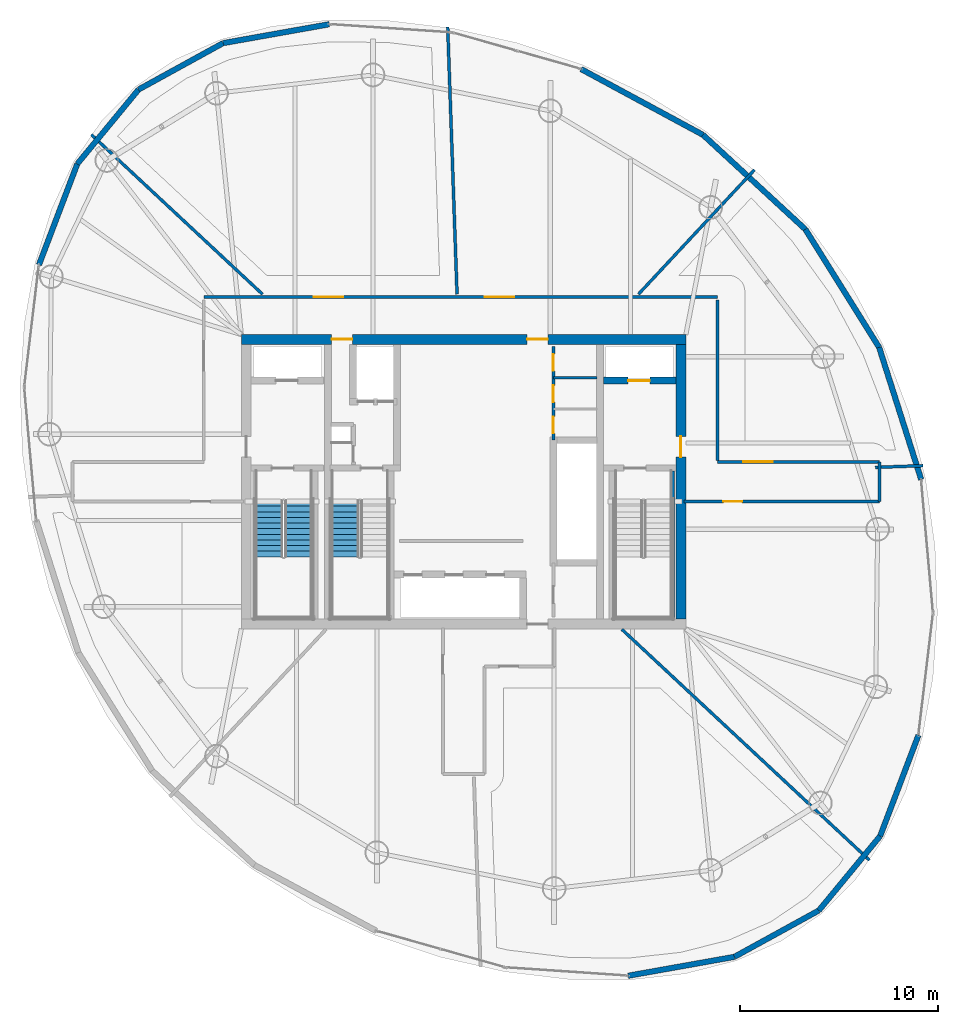
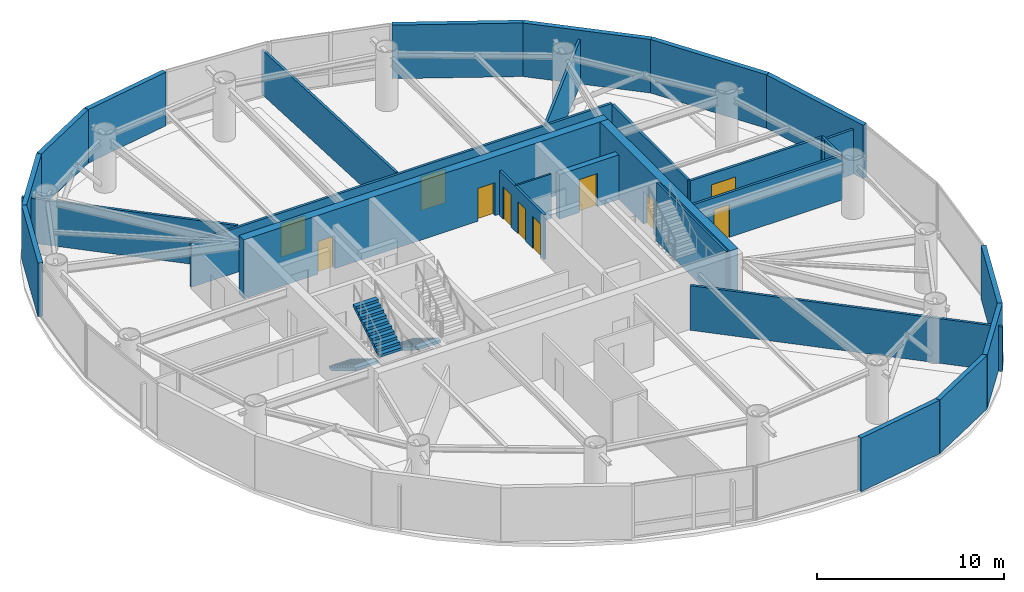
# One storey, part 14 of 18: 28 walls, 11 doors, 3 stair flights, 11 openings, 2 elements without a shape of their own.
"""IFC4 building model written with IfcOpenShell, lengths in metres."""

from ifc_helpers import new_model, si_unit, direction, frame, frame_2d, origin, place, context, subcontext, project, spatial, polyline, rectangle, outline, extrude, material, layer, layer_set, type_object, element, fill, aggregate, save


model = new_model("IFC4")

# Units and contexts
model_context = context("Model", 3, precision=1e-05, world=origin(), true_north=direction((0.0, 1.0)))
body_context = subcontext(model_context, "Body", "Model", "MODEL_VIEW")
ifc_project = project(units=[si_unit("LENGTHUNIT", "METRE"), si_unit("AREAUNIT", "SQUARE_METRE"), si_unit("VOLUMEUNIT", "CUBIC_METRE"), si_unit("PLANEANGLEUNIT", "RADIAN"), si_unit("MASSUNIT", "GRAM", prefix="KILO")], contexts=[model_context])

# Site, building, storey
site_placement = place(None, origin())
site = spatial("IfcSite", under=ifc_project, at=site_placement, CompositionType="ELEMENT")
building_placement = place(site_placement, origin())
building = spatial("IfcBuilding", under=site, at=building_placement, Name="Bramvorn Convention Spire", CompositionType="ELEMENT")
storey_placement = place(building_placement, frame((0.0, 0.0, 232.800048828125)))
storey = spatial("IfcBuildingStorey", under=building, at=storey_placement, Name="L59", CompositionType="ELEMENT", Elevation=232.800048828125)

# Wall, openings, doors
ifc_material_1 = material(Name="Concrete C50/60", Category="concrete")
ifc_layer_1 = layer(ifc_material_1, 0.5)
ifc_layer_set_1 = layer_set([ifc_layer_1], Name="Concrete C50/60 - WL-CORE-500")
wall_type_1 = type_object("IfcWallType", Name="WL-CORE-500", PredefinedType="SHEAR", material=ifc_layer_set_1)
wall_1_placement = place(storey_placement, frame((26.75, 33.199951171875, 0.0), z_axis=(0.0, 0.0, 1.0), x_axis=(1.0, 0.0, 0.0)))
wall_1 = element("IfcWall", 1, at=wall_1_placement, inside=storey, type_object=wall_type_1, Name="L59 North RC core shear wall", PredefinedType="SHEAR", context=body_context, shape_type="SweptSolid", body=[
    extrude(rectangle(XDim=22.5, YDim=0.5, at=frame_2d((11.25, 0.0))), origin(), (0.0, 0.0, 1.0), 3.849853515625),
])
opening_1_placement = place(wall_1_placement, frame((4.570068359375, 0.0, 0.0)))
opening_1 = element("IfcOpeningElement", 2, at=opening_1_placement, cuts=wall_1, Name="Opening DL-105", PredefinedType="OPENING", context=body_context, shape_type="SweptSolid", body=[
    extrude(rectangle(XDim=1.050048828125, YDim=2.14990234375, at=frame_2d((0.52490234375, 1.074951171875))), frame((0.0, 0.260009765625, 0.0), z_axis=(0.0, -1.0, 0.0), x_axis=(1.0, 0.0, 0.0)), (0.0, 0.0, 1.0), 0.52001953125),
])
opening_2_placement = place(wall_1_placement, frame((14.469970703125, 0.0, 0.0)))
opening_2 = element("IfcOpeningElement", 3, at=opening_2_placement, cuts=wall_1, Name="Opening DL-105", PredefinedType="OPENING", context=body_context, shape_type="SweptSolid", body=[
    extrude(rectangle(XDim=1.050048828125, YDim=2.14990234375, at=frame_2d((0.52490234375, 1.074951171875))), frame((0.0, 0.260009765625, 0.0), z_axis=(0.0, -1.0, 0.0), x_axis=(1.0, 0.0, 0.0)), (0.0, 0.0, 1.0), 0.52001953125),
])
ifc_material_2 = material(Name="Smoke-Sealed Fire Lobby Timber-Core Door", Category="wood")
door_type_1 = type_object("IfcDoorType", Name="DR-LOBBY-1050", OperationType="NOTDEFINED", PredefinedType="DOOR", material=ifc_material_2)
door_1_placement = place(opening_1_placement, origin())
door_1 = element("IfcDoor", 4, at=door_1_placement, inside=storey, type_object=door_type_1, Name="L59 Service & Stair ST3 Lobby north corridor door", OperationType="SINGLE_SWING_LEFT", OverallHeight=2.14990234375, OverallWidth=1.050048828125, PredefinedType="DOOR", context=body_context, shape_type="SweptSolid", body=[
    extrude(rectangle(XDim=1.050048828125, YDim=2.14990234375, at=frame_2d((0.52490234375, 1.074951171875))), frame((0.0, 0.02490234375, 0.0), z_axis=(0.0, -1.0, 0.0), x_axis=(1.0, 0.0, 0.0)), (0.0, 0.0, 1.0), 0.050048828125),
])
fill(opening_1, door_1)
door_2_placement = place(opening_2_placement, origin())
door_2 = element("IfcDoor", 5, at=door_2_placement, inside=storey, type_object=door_type_1, Name="L59 North Lift Lobby fire door", OperationType="SINGLE_SWING_LEFT", OverallHeight=2.14990234375, OverallWidth=1.050048828125, PredefinedType="DOOR", context=body_context, shape_type="SweptSolid", body=[
    extrude(rectangle(XDim=1.050048828125, YDim=2.14990234375, at=frame_2d((0.52490234375, 1.074951171875))), frame((0.0, 0.02490234375, 0.0), z_axis=(0.0, -1.0, 0.0), x_axis=(1.0, 0.0, 0.0)), (0.0, 0.0, 1.0), 0.050048828125),
])
fill(opening_2, door_2)

# Wall, opening, door
wall_2_placement = place(storey_placement, frame((49.0, 19.050048828125, 0.0), z_axis=(0.0, 0.0, 1.0), x_axis=(0.0, 1.0, 0.0)))
wall_2 = element("IfcWall", 6, at=wall_2_placement, inside=storey, type_object=wall_type_1, Name="L59 East RC core shear wall", PredefinedType="SHEAR", context=body_context, shape_type="SweptSolid", body=[
    extrude(rectangle(XDim=13.89990234375, YDim=0.5, at=frame_2d((6.949951171875, 0.0))), origin(), (0.0, 0.0, 1.0), 3.849853515625),
])
opening_3_placement = place(wall_2_placement, frame((8.199951171875, 0.0, 0.0)))
opening_3 = element("IfcOpeningElement", 7, at=opening_3_placement, cuts=wall_2, Name="Opening DL-105", PredefinedType="OPENING", context=body_context, shape_type="SweptSolid", body=[
    extrude(rectangle(XDim=1.050048828125, YDim=2.14990234375, at=frame_2d((0.52490234375, 1.074951171875))), frame((0.0, 0.260009765625, 0.0), z_axis=(0.0, -1.0, 0.0), x_axis=(1.0, 0.0, 0.0)), (0.0, 0.0, 1.0), 0.52001953125),
])
door_3_placement = place(opening_3_placement, origin())
door_3 = element("IfcDoor", 8, at=door_3_placement, inside=storey, type_object=door_type_1, Name="L59 East Firefighting Lobby corridor door", OperationType="SINGLE_SWING_LEFT", OverallHeight=2.14990234375, OverallWidth=1.050048828125, PredefinedType="DOOR", context=body_context, shape_type="SweptSolid", body=[
    extrude(rectangle(XDim=1.050048828125, YDim=2.14990234375, at=frame_2d((0.52490234375, 1.074951171875))), frame((0.0, 0.02490234375, 0.0), z_axis=(0.0, -1.0, 0.0), x_axis=(1.0, 0.0, 0.0)), (0.0, 0.0, 1.0), 0.050048828125),
])
fill(opening_3, door_3)

ifc_layer_2 = layer(ifc_material_1, 0.35009765625)
ifc_layer_set_2 = layer_set([ifc_layer_2], Name="Concrete C50/60 - WL-CORE-INT-350")
wall_type_2 = type_object("IfcWallType", Name="WL-CORE-INT-350", PredefinedType="SHEAR", material=ifc_layer_set_2)
wall_3_placement = place(storey_placement, frame((45.080078125, 31.1201171875, 0.0), z_axis=(0.0, 0.0, 1.0), x_axis=(1.0, 0.0, 0.0)))
wall_3 = element("IfcWall", 9, at=wall_3_placement, inside=storey, type_object=wall_type_2, Name="L59 FE2 shaft front wall", PredefinedType="SHEAR", context=body_context, shape_type="SweptSolid", body=[
    extrude(rectangle(XDim=3.669921875, YDim=0.35009765625, at=frame_2d((1.8349609375, 0.0))), origin(), (0.0, 0.0, 1.0), 2.9150390625),
])
opening_4_placement = place(wall_3_placement, frame((1.25, 0.0, 0.0)))
opening_4 = element("IfcOpeningElement", 10, at=opening_4_placement, cuts=wall_3, Name="Opening LD-110", PredefinedType="OPENING", context=body_context, shape_type="SweptSolid", body=[
    extrude(rectangle(XDim=1.10009765625, YDim=2.14990234375, at=frame_2d((0.550048828125, 1.074951171875))), frame((0.0, 0.18505859375, 0.0), z_axis=(0.0, -1.0, 0.0), x_axis=(1.0, 0.0, 0.0)), (0.0, 0.0, 1.0), 0.3701171875),
])
ifc_material_3 = material(Name="Firefighting & Service Lift Sliding Landing Door", Category="steel")
door_type_2 = type_object("IfcDoorType", Name="DR-LIFT-LD-1100", OperationType="NOTDEFINED", PredefinedType="DOOR", material=ifc_material_3)
door_4_placement = place(opening_4_placement, origin())
door_4 = element("IfcDoor", 11, at=door_4_placement, inside=storey, type_object=door_type_2, Name="L59 Lift FE2 Sliding Landing Door", OperationType="SLIDING_TO_LEFT", OverallHeight=2.14990234375, OverallWidth=1.10009765625, PredefinedType="DOOR", context=body_context, shape_type="SweptSolid", body=[
    extrude(rectangle(XDim=1.10009765625, YDim=2.14990234375, at=frame_2d((0.550048828125, 1.074951171875))), frame((0.0, 0.02490234375, 0.0), z_axis=(0.0, -1.0, 0.0), x_axis=(1.0, 0.0, 0.0)), (0.0, 0.0, 1.0), 0.050048828125),
])
fill(opening_4, door_4)

# Walls
ifc_material_4 = material(Name="Precast Concrete C40/50 with Bronze Terracotta Rainscreen", Category="masonry")
ifc_layer_3 = layer(ifc_material_4, 0.300048828125)
ifc_layer_set_3 = layer_set([ifc_layer_3], Name="Precast Concrete C40/50 with Bronze Terracotta Rainscreen - WL-EXT-BRONZE-300")
wall_type_3 = type_object("IfcWallType", Name="WL-EXT-BRONZE-300", PredefinedType="SOLIDWALL", material=ifc_layer_set_3)
wall_4_placement = place(storey_placement, frame((59.08203125, 8.066162109375, 0.0), z_axis=(0.0, 0.0, 1.0), x_axis=(-0.635840615574, -0.771820388165, 0.0)))
element("IfcWall", 12, at=wall_4_placement, inside=storey, type_object=wall_type_3, Name="L59 expressed bronze Gothic lancet pier wall 01", PredefinedType="SOLIDWALL", context=body_context, shape_type="SweptSolid", body=[
    extrude(rectangle(XDim=4.87646484375, YDim=0.280029296875, at=frame_2d((2.438232421875, 0.0))), origin(), (0.0, 0.0, 1.0), 3.5),
])
wall_5_placement = place(storey_placement, frame((61.022216796875, 13.1748046875, 0.0), z_axis=(0.0, 0.0, 1.0), x_axis=(-0.355042078818, -0.934850320783, 0.0)))
element("IfcWall", 13, at=wall_5_placement, inside=storey, type_object=wall_type_3, Name="L59 expressed bronze Gothic lancet pier wall 02", PredefinedType="SOLIDWALL", context=body_context, shape_type="SweptSolid", body=[
    extrude(rectangle(XDim=5.464599609375, YDim=0.280029296875, at=frame_2d((2.732421875, 0.0))), origin(), (0.0, 0.0, 1.0), 3.5),
])
wall_6_placement = place(storey_placement, frame((59.031005859375, 32.801513671875, 0.0), z_axis=(0.0, 0.0, 1.0), x_axis=(0.303361607716, -0.952875508639, 0.0)))
element("IfcWall", 14, at=wall_6_placement, inside=storey, type_object=wall_type_3, Name="L59 expressed bronze Gothic lancet pier wall 05", PredefinedType="SOLIDWALL", context=body_context, shape_type="SweptSolid", body=[
    extrude(rectangle(XDim=7.017822265625, YDim=0.280029296875, at=frame_2d((3.5087890625, 0.0))), origin(), (0.0, 0.0, 1.0), 3.5),
])
wall_7_placement = place(storey_placement, frame((55.297119140625, 38.776123046875, 0.0), z_axis=(0.0, 0.0, 1.0), x_axis=(0.529974021184, -0.848013877758, 0.0)))
element("IfcWall", 15, at=wall_7_placement, inside=storey, type_object=wall_type_3, Name="L59 expressed bronze Gothic lancet pier wall 06", PredefinedType="SOLIDWALL", context=body_context, shape_type="SweptSolid", body=[
    extrude(rectangle(XDim=7.04541015625, YDim=0.280029296875, at=frame_2d((3.522705078125, 0.0))), origin(), (0.0, 0.0, 1.0), 3.5),
])
wall_8_placement = place(storey_placement, frame((50.119384765625, 43.5546875, 0.0), z_axis=(0.0, 0.0, 1.0), x_axis=(0.734865878673, -0.678212459604, 0.0)))
element("IfcWall", 16, at=wall_8_placement, inside=storey, type_object=wall_type_3, Name="L59 expressed bronze Gothic lancet pier wall 07", PredefinedType="SOLIDWALL", context=body_context, shape_type="SweptSolid", body=[
    extrude(rectangle(XDim=7.0458984375, YDim=0.280029296875, at=frame_2d((3.52294921875, 0.0))), origin(), (0.0, 0.0, 1.0), 3.5),
])
wall_9_placement = place(storey_placement, frame((43.944091796875, 46.887939453125, 0.0), z_axis=(0.0, 0.0, 1.0), x_axis=(0.879989165457, -0.474993756463, 0.0)))
element("IfcWall", 17, at=wall_9_placement, inside=storey, type_object=wall_type_3, Name="L59 expressed bronze Gothic lancet pier wall 08", PredefinedType="SOLIDWALL", context=body_context, shape_type="SweptSolid", body=[
    extrude(rectangle(XDim=7.017578125, YDim=0.280029296875, at=frame_2d((3.5087890625, 0.0))), origin(), (0.0, 0.0, 1.0), 3.5),
])
wall_10_placement = place(storey_placement, frame((25.82373046875, 48.197509765625, 0.0), z_axis=(0.0, 0.0, 1.0), x_axis=(0.984520218029, 0.175271048073, 0.0)))
element("IfcWall", 18, at=wall_10_placement, inside=storey, type_object=wall_type_3, Name="L59 expressed bronze Gothic lancet pier wall 11", PredefinedType="SOLIDWALL", context=body_context, shape_type="SweptSolid", body=[
    extrude(rectangle(XDim=5.46435546875, YDim=0.280029296875, at=frame_2d((2.732177734375, 0.0))), origin(), (0.0, 0.0, 1.0), 3.5),
])
for number, where, z_axis, x_axis, name in (
    (19, (21.5498046875, 45.849609375, 0.0), (0.0, 0.0, 1.0), (0.876454695408, 0.481484337126, 0.0), "L59 expressed bronze Gothic lancet pier wall 12"),
    (20, (18.44921875, 42.0859375, 0.0), (0.0, 0.0, 1.0), (0.635840615574, 0.771820388165, 0.0), "L59 expressed bronze Gothic lancet pier wall 13"),
):
    element("IfcWall", number, at=place(storey_placement, frame(where, z_axis=z_axis, x_axis=x_axis)), inside=storey, type_object=wall_type_3, Name=name, PredefinedType="SOLIDWALL", context=body_context, shape_type="SweptSolid", body=[
        extrude(rectangle(XDim=4.87646484375, YDim=0.280029296875, at=frame_2d((2.438232421875, 0.0))), origin(), (0.0, 0.0, 1.0), 3.5),
    ])
wall_11_placement = place(storey_placement, frame((16.509033203125, 36.977294921875, 0.0), z_axis=(0.0, 0.0, 1.0), x_axis=(0.355042078818, 0.934850320783, 0.0)))
element("IfcWall", 21, at=wall_11_placement, inside=storey, type_object=wall_type_3, Name="L59 expressed bronze Gothic lancet pier wall 14", PredefinedType="SOLIDWALL", context=body_context, shape_type="SweptSolid", body=[
    extrude(rectangle(XDim=5.464599609375, YDim=0.280029296875, at=frame_2d((2.732421875, 0.0))), origin(), (0.0, 0.0, 1.0), 3.5),
])
wall_12_placement = place(storey_placement, frame((51.707763671875, 1.95458984375, 0.0), z_axis=(0.0, 0.0, 1.0), x_axis=(-0.984520218029, -0.175271048073, 0.0)))
element("IfcWall", 22, at=wall_12_placement, inside=storey, type_object=wall_type_3, Name="L59 expressed bronze Gothic lancet pier wall 23", PredefinedType="SOLIDWALL", context=body_context, shape_type="SweptSolid", body=[
    extrude(rectangle(XDim=5.46435546875, YDim=0.280029296875, at=frame_2d((2.732177734375, 0.0))), origin(), (0.0, 0.0, 1.0), 3.5),
])
wall_13_placement = place(storey_placement, frame((55.9814453125, 4.302490234375, 0.0), z_axis=(0.0, 0.0, 1.0), x_axis=(-0.876443087994, -0.481505465709, 0.0)))
element("IfcWall", 23, at=wall_13_placement, inside=storey, type_object=wall_type_3, Name="L59 expressed bronze Gothic lancet pier wall 24", PredefinedType="SOLIDWALL", context=body_context, shape_type="SweptSolid", body=[
    extrude(rectangle(XDim=4.876220703125, YDim=0.280029296875, at=frame_2d((2.43798828125, 0.0))), origin(), (0.0, 0.0, 1.0), 3.5),
])
ifc_material_5 = material(Name="Lightweight En-Suite & Wet-Wall Partition", Category="gypsum")
ifc_layer_4 = layer(ifc_material_5, 0.110107421875)
ifc_layer_set_4 = layer_set([ifc_layer_4], Name="Lightweight En-Suite & Wet-Wall Partition - WL-PART-110")
wall_type_4 = type_object("IfcWallType", Name="WL-PART-110", PredefinedType="PARTITIONING", material=ifc_layer_set_4)
wall_14_placement = place(storey_placement, frame((42.550048828125, 31.260009765625, 0.0), z_axis=(0.0, 0.0, 1.0), x_axis=(1.0, 0.0, 0.0)))
element("IfcWall", 24, at=wall_14_placement, inside=storey, type_object=wall_type_4, Name="L59 KC NE div 2", PredefinedType="PARTITIONING", context=body_context, shape_type="SweptSolid", body=[
    extrude(rectangle(XDim=2.199951171875, YDim=0.110107421875, at=frame_2d((1.10009765625, 0.0))), origin(), (0.0, 0.0, 1.0), 2.9150390625),
])

# Wall, openings, doors
ifc_material_6 = material(Name="Acoustic Metal-Stud Tenant/Corridor Partition", Category="gypsum")
ifc_layer_5 = layer(ifc_material_6, 0.14990234375)
ifc_layer_set_5 = layer_set([ifc_layer_5], Name="Acoustic Metal-Stud Tenant/Corridor Partition - WL-PART-150")
wall_type_5 = type_object("IfcWallType", Name="WL-PART-150", PredefinedType="PARTITIONING", material=ifc_layer_set_5)
wall_15_placement = place(storey_placement, frame((42.550048828125, 28.10009765625, 0.0), z_axis=(0.0, 0.0, 1.0), x_axis=(0.0, 1.0, 0.0)))
wall_15 = element("IfcWall", 25, at=wall_15_placement, inside=storey, type_object=wall_type_5, Name="L59 KC NE wall", PredefinedType="PARTITIONING", context=body_context, shape_type="SweptSolid", body=[
    extrude(rectangle(XDim=4.75, YDim=0.14990234375, at=frame_2d((2.375, 0.0))), origin(), (0.0, 0.0, 1.0), 2.9150390625),
])
opening_5_placement = place(wall_15_placement, frame((0.35009765625, 0.0, 0.0)))
opening_5 = element("IfcOpeningElement", 26, at=opening_5_placement, cuts=wall_15, Name="Opening DC-085", PredefinedType="OPENING", context=body_context, shape_type="SweptSolid", body=[
    extrude(rectangle(XDim=0.85009765625, YDim=2.10009765625, at=frame_2d((0.425048828125, 1.050048828125))), frame((0.0, 0.0849609375, 0.0), z_axis=(0.0, -1.0, 0.0), x_axis=(1.0, 0.0, 0.0)), (0.0, 0.0, 1.0), 0.169921875),
])
opening_6_placement = place(wall_15_placement, frame((1.929931640625, 0.0, 0.0)))
opening_6 = element("IfcOpeningElement", 27, at=opening_6_placement, cuts=wall_15, Name="Opening DC-085", PredefinedType="OPENING", context=body_context, shape_type="SweptSolid", body=[
    extrude(rectangle(XDim=0.85009765625, YDim=2.10009765625, at=frame_2d((0.425048828125, 1.050048828125))), frame((0.0, 0.0849609375, 0.0), z_axis=(0.0, -1.0, 0.0), x_axis=(1.0, 0.0, 0.0)), (0.0, 0.0, 1.0), 0.169921875),
])
opening_7_placement = place(wall_15_placement, frame((3.510009765625, 0.0, 0.0)))
opening_7 = element("IfcOpeningElement", 28, at=opening_7_placement, cuts=wall_15, Name="Opening DC-085", PredefinedType="OPENING", context=body_context, shape_type="SweptSolid", body=[
    extrude(rectangle(XDim=0.85009765625, YDim=2.10009765625, at=frame_2d((0.425048828125, 1.050048828125))), frame((0.0, 0.0849609375, 0.0), z_axis=(0.0, -1.0, 0.0), x_axis=(1.0, 0.0, 0.0)), (0.0, 0.0, 1.0), 0.169921875),
])
ifc_material_7 = material(Name="Fire-Rated Core Washroom & IDF Door", Category="wood")
door_type_3 = type_object("IfcDoorType", Name="DR-CORE-850", OperationType="NOTDEFINED", PredefinedType="DOOR", material=ifc_material_7)
door_5_placement = place(opening_5_placement, origin())
door_5 = element("IfcDoor", 29, at=door_5_placement, inside=storey, type_object=door_type_3, Name="L59 Accessible Core Restroom door", OperationType="SINGLE_SWING_LEFT", OverallHeight=2.10009765625, OverallWidth=0.85009765625, PredefinedType="DOOR", context=body_context, shape_type="SweptSolid", body=[
    extrude(rectangle(XDim=0.85009765625, YDim=2.10009765625, at=frame_2d((0.425048828125, 1.050048828125))), frame((0.0, 0.02490234375, 0.0), z_axis=(0.0, -1.0, 0.0), x_axis=(1.0, 0.0, 0.0)), (0.0, 0.0, 1.0), 0.050048828125),
])
fill(opening_5, door_5)
door_6_placement = place(opening_6_placement, origin())
door_6 = element("IfcDoor", 30, at=door_6_placement, inside=storey, type_object=door_type_3, Name="L59 Tenant Pantry & Copy Centre door", OperationType="SINGLE_SWING_LEFT", OverallHeight=2.10009765625, OverallWidth=0.85009765625, PredefinedType="DOOR", context=body_context, shape_type="SweptSolid", body=[
    extrude(rectangle(XDim=0.85009765625, YDim=2.10009765625, at=frame_2d((0.425048828125, 1.050048828125))), frame((0.0, 0.02490234375, 0.0), z_axis=(0.0, -1.0, 0.0), x_axis=(1.0, 0.0, 0.0)), (0.0, 0.0, 1.0), 0.050048828125),
])
fill(opening_6, door_6)
door_7_placement = place(opening_7_placement, origin())
door_7 = element("IfcDoor", 31, at=door_7_placement, inside=storey, type_object=door_type_3, Name="L59 Core Comms Closet door", OperationType="SINGLE_SWING_LEFT", OverallHeight=2.10009765625, OverallWidth=0.85009765625, PredefinedType="DOOR", context=body_context, shape_type="SweptSolid", body=[
    extrude(rectangle(XDim=0.85009765625, YDim=2.10009765625, at=frame_2d((0.425048828125, 1.050048828125))), frame((0.0, 0.02490234375, 0.0), z_axis=(0.0, -1.0, 0.0), x_axis=(1.0, 0.0, 0.0)), (0.0, 0.0, 1.0), 0.050048828125),
])
fill(opening_7, door_7)

wall_16_placement = place(storey_placement, frame((24.85009765625, 35.35009765625, 0.0), z_axis=(0.0, 0.0, 1.0), x_axis=(1.0, 0.0, 0.0)))
wall_16 = element("IfcWall", 32, at=wall_16_placement, inside=storey, type_object=wall_type_5, Name="L59 North gallery wall", PredefinedType="PARTITIONING", context=body_context, shape_type="SweptSolid", body=[
    extrude(rectangle(XDim=26.0, YDim=0.14990234375, at=frame_2d((13.0, 0.0))), origin(), (0.0, 0.0, 1.0), 2.9150390625),
])
opening_8_placement = place(wall_16_placement, frame((14.218994140625, 0.0, 0.0)))
opening_8 = element("IfcOpeningElement", 33, at=opening_8_placement, cuts=wall_16, Name="Opening DC-150", PredefinedType="OPENING", context=body_context, shape_type="SweptSolid", body=[
    extrude(rectangle(XDim=1.5, YDim=2.199951171875, at=frame_2d((0.75, 1.10009765625))), frame((0.0, 0.0849609375, 0.0), z_axis=(0.0, -1.0, 0.0), x_axis=(1.0, 0.0, 0.0)), (0.0, 0.0, 1.0), 0.169921875),
])
opening_9_placement = place(wall_16_placement, frame((5.565673828125, 0.0, 0.0)))
opening_9 = element("IfcOpeningElement", 34, at=opening_9_placement, cuts=wall_16, Name="Opening DC-150", PredefinedType="OPENING", context=body_context, shape_type="SweptSolid", body=[
    extrude(rectangle(XDim=1.5, YDim=2.199951171875, at=frame_2d((0.75, 1.10009765625))), frame((0.0, 0.0849609375, 0.0), z_axis=(0.0, -1.0, 0.0), x_axis=(1.0, 0.0, 0.0)), (0.0, 0.0, 1.0), 0.169921875),
])
ifc_material_8 = material(Name="Double-Leaf Smoke-Control Corridor Door", Category="wood")
door_type_4 = type_object("IfcDoorType", Name="DR-COR-1500", OperationType="NOTDEFINED", PredefinedType="DOOR", material=ifc_material_8)
door_8_placement = place(opening_8_placement, origin())
door_8 = element("IfcDoor", 35, at=door_8_placement, inside=storey, type_object=door_type_4, Name="L59 Equities Office Desk East 2 door", OperationType="DOUBLE_DOOR_SINGLE_SWING", OverallHeight=2.199951171875, OverallWidth=1.5, PredefinedType="DOOR", context=body_context, shape_type="SweptSolid", body=[
    extrude(rectangle(XDim=1.5, YDim=2.199951171875, at=frame_2d((0.75, 1.10009765625))), frame((0.0, 0.02490234375, 0.0), z_axis=(0.0, -1.0, 0.0), x_axis=(1.0, 0.0, 0.0)), (0.0, 0.0, 1.0), 0.050048828125),
])
fill(opening_8, door_8)
door_9_placement = place(opening_9_placement, origin())
door_9 = element("IfcDoor", 36, at=door_9_placement, inside=storey, type_object=door_type_4, Name="L59 Trader Dining Cafe 1 3 door", OperationType="DOUBLE_DOOR_SINGLE_SWING", OverallHeight=2.199951171875, OverallWidth=1.5, PredefinedType="DOOR", context=body_context, shape_type="SweptSolid", body=[
    extrude(rectangle(XDim=1.5, YDim=2.199951171875, at=frame_2d((0.75, 1.10009765625))), frame((0.0, 0.02490234375, 0.0), z_axis=(0.0, -1.0, 0.0), x_axis=(1.0, 0.0, 0.0)), (0.0, 0.0, 1.0), 0.050048828125),
])
fill(opening_9, door_9)

# Wall
wall_17_placement = place(storey_placement, frame((50.85009765625, 27.080078125, 0.0), z_axis=(0.0, 0.0, 1.0), x_axis=(0.0, 1.0, 0.0)))
element("IfcWall", 37, at=wall_17_placement, inside=storey, type_object=wall_type_5, Name="L59 NE gallery cheek", PredefinedType="PARTITIONING", context=body_context, shape_type="SweptSolid", body=[
    extrude(rectangle(XDim=8.119873046875, YDim=0.14990234375, at=frame_2d((4.06005859375, 0.0))), origin(), (0.0, 0.0, 1.0), 2.9150390625),
])

# Wall, opening, door
wall_18_placement = place(storey_placement, frame((50.85009765625, 27.0, 0.0), z_axis=(0.0, 0.0, 1.0), x_axis=(1.0, 0.0, 0.0)))
wall_18 = element("IfcWall", 38, at=wall_18_placement, inside=storey, type_object=wall_type_5, Name="L59 East wing spine north wall", PredefinedType="PARTITIONING", context=body_context, shape_type="SweptSolid", body=[
    extrude(rectangle(XDim=8.203857421875, YDim=0.14990234375, at=frame_2d((4.10205078125, 0.0))), origin(), (0.0, 0.0, 1.0), 2.9150390625),
])
opening_10_placement = place(wall_18_placement, frame((1.301025390625, 0.0, 0.0)))
opening_10 = element("IfcOpeningElement", 39, at=opening_10_placement, cuts=wall_18, Name="Opening DC-150", PredefinedType="OPENING", context=body_context, shape_type="SweptSolid", body=[
    extrude(rectangle(XDim=1.5, YDim=2.199951171875, at=frame_2d((0.75, 1.10009765625))), frame((0.0, 0.0849609375, 0.0), z_axis=(0.0, -1.0, 0.0), x_axis=(1.0, 0.0, 0.0)), (0.0, 0.0, 1.0), 0.169921875),
])
door_10_placement = place(opening_10_placement, origin())
door_10 = element("IfcDoor", 40, at=door_10_placement, inside=storey, type_object=door_type_4, Name="L59 Quantitative Office Desk West 1 door", OperationType="DOUBLE_DOOR_SINGLE_SWING", OverallHeight=2.199951171875, OverallWidth=1.5, PredefinedType="DOOR", context=body_context, shape_type="SweptSolid", body=[
    extrude(rectangle(XDim=1.5, YDim=2.199951171875, at=frame_2d((0.75, 1.10009765625))), frame((0.0, 0.02490234375, 0.0), z_axis=(0.0, -1.0, 0.0), x_axis=(1.0, 0.0, 0.0)), (0.0, 0.0, 1.0), 0.050048828125),
])
fill(opening_10, door_10)

wall_19_placement = place(storey_placement, frame((49.14990234375, 25.0, 0.0), z_axis=(0.0, 0.0, 1.0), x_axis=(1.0, 0.0, 0.0)))
wall_19 = element("IfcWall", 41, at=wall_19_placement, inside=storey, type_object=wall_type_5, Name="L59 East wing spine south wall", PredefinedType="PARTITIONING", context=body_context, shape_type="SweptSolid", body=[
    extrude(rectangle(XDim=9.904052734375, YDim=0.14990234375, at=frame_2d((4.9521484375, 0.0))), origin(), (0.0, 0.0, 1.0), 2.9150390625),
])
opening_11_placement = place(wall_19_placement, frame((2.0009765625, 0.0, 0.0)))
opening_11 = element("IfcOpeningElement", 42, at=opening_11_placement, cuts=wall_19, Name="Opening DH-095", PredefinedType="OPENING", context=body_context, shape_type="SweptSolid", body=[
    extrude(rectangle(XDim=0.949951171875, YDim=2.14990234375, at=frame_2d((0.47509765625, 1.074951171875))), frame((0.0, 0.0849609375, 0.0), z_axis=(0.0, -1.0, 0.0), x_axis=(1.0, 0.0, 0.0)), (0.0, 0.0, 1.0), 0.169921875),
])
ifc_material_9 = material(Name="Solid-Core Acoustic Guestroom Entry Door", Category="wood")
door_type_5 = type_object("IfcDoorType", Name="DR-HOTEL-950", OperationType="NOTDEFINED", PredefinedType="DOOR", material=ifc_material_9)
door_11_placement = place(opening_11_placement, origin())
door_11 = element("IfcDoor", 43, at=door_11_placement, inside=storey, type_object=door_type_5, Name="L59 Tenant Briefing Room 8 door", OperationType="SINGLE_SWING_RIGHT", OverallHeight=2.14990234375, OverallWidth=0.949951171875, PredefinedType="DOOR", context=body_context, shape_type="SweptSolid", body=[
    extrude(rectangle(XDim=0.949951171875, YDim=2.14990234375, at=frame_2d((0.47509765625, 1.074951171875))), frame((0.0, 0.02490234375, 0.0), z_axis=(0.0, -1.0, 0.0), x_axis=(1.0, 0.0, 0.0)), (0.0, 0.0, 1.0), 0.050048828125),
])
fill(opening_11, door_11)

# Walls
wall_20_placement = place(storey_placement, frame((59.053955078125, 25.0, 0.0), z_axis=(0.0, 0.0, 1.0), x_axis=(0.0, 1.0, 0.0)))
element("IfcWall", 44, at=wall_20_placement, inside=storey, type_object=wall_type_5, Name="L59 East wing spine end wall", PredefinedType="PARTITIONING", context=body_context, shape_type="SweptSolid", body=[
    extrude(rectangle(XDim=2.0, YDim=0.14990234375, at=frame_2d((1.0, 0.0))), origin(), (0.0, 0.0, 1.0), 2.9150390625),
])
wall_21_placement = place(storey_placement, frame((58.83544921875, 26.7275390625, 0.0), z_axis=(0.0, 0.0, 1.0), x_axis=(0.999387726296, 0.034988177001, 0.0)))
element("IfcWall", 45, at=wall_21_placement, inside=storey, type_object=wall_type_5, Name="L59 Tenant suite partition 1", PredefinedType="PARTITIONING", context=body_context, shape_type="SweptSolid", body=[
    extrude(rectangle(XDim=2.414306640625, YDim=0.14990234375, at=frame_2d((1.20703125, 0.0))), origin(), (0.0, 0.0, 1.0), 2.9150390625),
])
wall_22_placement = place(storey_placement, frame((46.849609375, 35.489990234375, 0.0), z_axis=(0.0, 0.0, 1.0), x_axis=(0.68198814017, 0.731363231689, 0.0)))
element("IfcWall", 46, at=wall_22_placement, inside=storey, type_object=wall_type_5, Name="L59 Tenant suite partition 2", PredefinedType="PARTITIONING", context=body_context, shape_type="SweptSolid", body=[
    extrude(rectangle(XDim=8.618408203125, YDim=0.14990234375, at=frame_2d((4.30908203125, 0.0))), origin(), (0.0, 0.0, 1.0), 2.9150390625),
])
wall_23_placement = place(storey_placement, frame((37.668701171875, 35.489990234375, 0.0), z_axis=(0.0, 0.0, 1.0), x_axis=(-0.034913436029, 0.99939034015, 0.0)))
element("IfcWall", 47, at=wall_23_placement, inside=storey, type_object=wall_type_5, Name="L59 Tenant suite partition 3", PredefinedType="PARTITIONING", context=body_context, shape_type="SweptSolid", body=[
    extrude(rectangle(XDim=13.531005859375, YDim=0.14990234375, at=frame_2d((6.765625, 0.0))), origin(), (0.0, 0.0, 1.0), 2.9150390625),
])
wall_24_placement = place(storey_placement, frame((27.8232421875, 35.489990234375, 0.0), z_axis=(0.0, 0.0, 1.0), x_axis=(-0.73135953899, 0.681992100195, 0.0)))
element("IfcWall", 48, at=wall_24_placement, inside=storey, type_object=wall_type_5, Name="L59 Tenant suite partition 4", PredefinedType="PARTITIONING", context=body_context, shape_type="SweptSolid", body=[
    extrude(rectangle(XDim=11.84423828125, YDim=0.14990234375, at=frame_2d((5.922119140625, 0.0))), origin(), (0.0, 0.0, 1.0), 2.9150390625),
])
wall_25_placement = place(storey_placement, frame((46.010498046875, 18.530029296875, 0.0), z_axis=(0.0, 0.0, 1.0), x_axis=(0.731354089415, -0.681997944202, 0.0)))
element("IfcWall", 49, at=wall_25_placement, inside=storey, type_object=wall_type_5, Name="L59 Tenant suite partition 8", PredefinedType="PARTITIONING", context=body_context, shape_type="SweptSolid", body=[
    extrude(rectangle(XDim=17.1396484375, YDim=0.14990234375, at=frame_2d((8.56982421875, 0.0))), origin(), (0.0, 0.0, 1.0), 2.9150390625),
])
ifc_layer_6 = layer(ifc_material_1, 0.1201171875)
ifc_layer_set_6 = layer_set([ifc_layer_6], Name="Concrete C50/60 - WL-STAIR-RC-120")
wall_type_6 = type_object("IfcWallType", Name="WL-STAIR-RC-120", PredefinedType="SHEAR", material=ifc_layer_set_6)
wall_26_placement = place(storey_placement, frame((48.60498046875, 19.10009765625, 0.0), z_axis=(0.0, 0.0, 1.0), x_axis=(0.0, 1.0, 0.0)))
element("IfcWall", 50, at=wall_26_placement, inside=storey, type_object=wall_type_6, Name="L59 ST2 east bearing shear wall", PredefinedType="SHEAR", context=body_context, shape_type="SweptSolid", body=[
    extrude(rectangle(XDim=7.449951171875, YDim=0.1201171875, at=frame_2d((3.72509765625, 0.0))), origin(), (0.0, 0.0, 1.0), 3.849853515625),
])

# Stair, stair flights
ifc_material_10 = material(Name="Concrete C40/50 Precast Stair", Category="concrete")
stair_type = type_object("IfcStairType", Name="ST-TOWER-1550", PredefinedType="HALF_TURN_STAIR", material=ifc_material_10)
stair_1_placement = place(storey_placement, origin())
stair_1 = element("IfcStair", 51, at=stair_1_placement, inside=storey, type_object=stair_type, Name="L59 Protected Exit Stair ST1", PredefinedType="HALF_TURN_STAIR")
ifc_material_11 = material(Name="Concrete C40/50 Precast Stair Flight", Category="concrete")
stair_flight_type = type_object("IfcStairFlightType", Name="STF-TOWER-1550", PredefinedType="STRAIGHT", material=ifc_material_11)
stair_flight_1_placement = place(storey_placement, frame((28.155029296875, 25.050048828125, 0.0), z_axis=(0.0, 0.0, 1.0), x_axis=(0.0, -1.0, 0.0)))
stair_flight_1 = element("IfcStairFlight", 52, at=stair_flight_1_placement, type_object=stair_flight_type, Name="ST1 flight 1", NumberOfRisers=11, NumberOfTreads=10, PredefinedType="STRAIGHT", RiserHeight=0.175, TreadLength=0.285, context=body_context, shape_type="SweptSolid", body=[
    extrude(outline(polyline([(0.0, 0.0), (0.0, 0.175048828125), (0.284912109375, 0.175048828125), (0.284912109375, 0.35009765625), (0.570068359375, 0.35009765625), (0.570068359375, 0.52490234375), (0.85498046875, 0.52490234375), (0.85498046875, 0.699951171875), (1.139892578125, 0.699951171875), (1.139892578125, 0.875), (1.425048828125, 0.875), (1.425048828125, 1.050048828125), (1.7099609375, 1.050048828125), (1.7099609375, 1.22509765625), (1.9951171875, 1.22509765625), (1.9951171875, 1.39990234375), (2.280029296875, 1.39990234375), (2.280029296875, 1.574951171875), (2.56494140625, 1.574951171875), (2.56494140625, 1.75), (2.85009765625, 1.75), (2.85009765625, 1.925048828125), (2.85009765625, 1.573974609375), (0.286376953125, 0.0), (0.0, 0.0)])), frame((0.0, 0.705078125, 0.0), z_axis=(0.0, -1.0, 0.0), x_axis=(1.0, 0.0, 0.0)), (0.0, 0.0, 1.0), 1.409912109375),
])
stair_flight_2_placement = place(storey_placement, frame((29.64501953125, 22.199951171875, 1.925048828125), z_axis=(0.0, 0.0, 1.0), x_axis=(0.0, 1.0, 0.0)))
stair_flight_2 = element("IfcStairFlight", 53, at=stair_flight_2_placement, type_object=stair_flight_type, Name="ST1 flight 2", NumberOfRisers=11, NumberOfTreads=10, PredefinedType="STRAIGHT", RiserHeight=0.175, TreadLength=0.285, context=body_context, shape_type="SweptSolid", body=[
    extrude(outline(polyline([(0.0, 0.0), (0.0, 0.175048828125), (0.284912109375, 0.175048828125), (0.284912109375, 0.35009765625), (0.570068359375, 0.35009765625), (0.570068359375, 0.52490234375), (0.85498046875, 0.52490234375), (0.85498046875, 0.699951171875), (1.139892578125, 0.699951171875), (1.139892578125, 0.875), (1.425048828125, 0.875), (1.425048828125, 1.050048828125), (1.7099609375, 1.050048828125), (1.7099609375, 1.22509765625), (1.9951171875, 1.22509765625), (1.9951171875, 1.39990234375), (2.280029296875, 1.39990234375), (2.280029296875, 1.574951171875), (2.56494140625, 1.574951171875), (2.56494140625, 1.75), (2.85009765625, 1.75), (2.85009765625, 1.925048828125), (2.85009765625, 1.573974609375), (0.286376953125, 0.0), (0.0, 0.0)])), frame((0.0, 0.705078125, 0.0), z_axis=(0.0, -1.0, 0.0), x_axis=(1.0, 0.0, 0.0)), (0.0, 0.0, 1.0), 1.409912109375),
])
aggregate(stair_1, [stair_flight_1, stair_flight_2])

# Stair, stair flight
stair_2_placement = place(storey_placement, origin())
stair_2 = element("IfcStair", 54, at=stair_2_placement, inside=storey, type_object=stair_type, Name="L59 Protected Exit Stair ST3", PredefinedType="HALF_TURN_STAIR")
stair_flight_3_placement = place(storey_placement, frame((32.0048828125, 25.050048828125, 0.0), z_axis=(0.0, 0.0, 1.0), x_axis=(0.0, -1.0, 0.0)))
stair_flight_3 = element("IfcStairFlight", 55, at=stair_flight_3_placement, type_object=stair_flight_type, Name="ST3 flight 1", NumberOfRisers=11, NumberOfTreads=10, PredefinedType="STRAIGHT", RiserHeight=0.175, TreadLength=0.285, context=body_context, shape_type="SweptSolid", body=[
    extrude(outline(polyline([(0.0, 0.0), (0.0, 0.175048828125), (0.284912109375, 0.175048828125), (0.284912109375, 0.35009765625), (0.570068359375, 0.35009765625), (0.570068359375, 0.52490234375), (0.85498046875, 0.52490234375), (0.85498046875, 0.699951171875), (1.139892578125, 0.699951171875), (1.139892578125, 0.875), (1.425048828125, 0.875), (1.425048828125, 1.050048828125), (1.7099609375, 1.050048828125), (1.7099609375, 1.22509765625), (1.9951171875, 1.22509765625), (1.9951171875, 1.39990234375), (2.280029296875, 1.39990234375), (2.280029296875, 1.574951171875), (2.56494140625, 1.574951171875), (2.56494140625, 1.75), (2.85009765625, 1.75), (2.85009765625, 1.925048828125), (2.85009765625, 1.573974609375), (0.286376953125, 0.0), (0.0, 0.0)])), frame((0.0, 0.705078125, 0.0), z_axis=(0.0, -1.0, 0.0), x_axis=(1.0, 0.0, 0.0)), (0.0, 0.0, 1.0), 1.409912109375),
])
aggregate(stair_2, [stair_flight_3])

save(model, "model.ifc")
